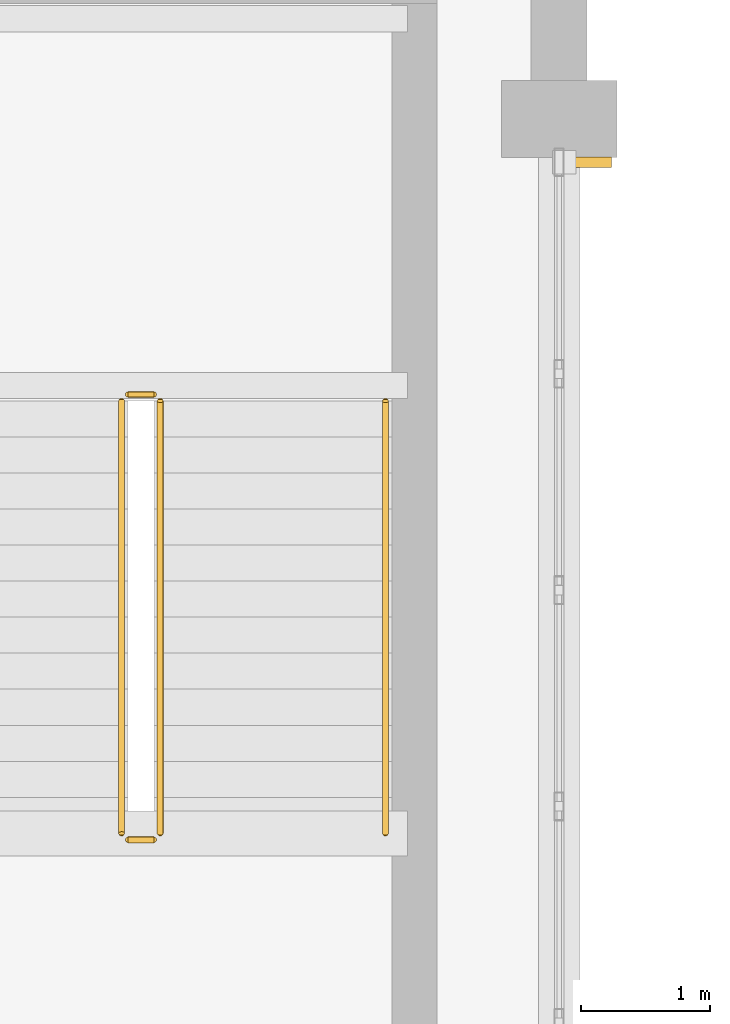
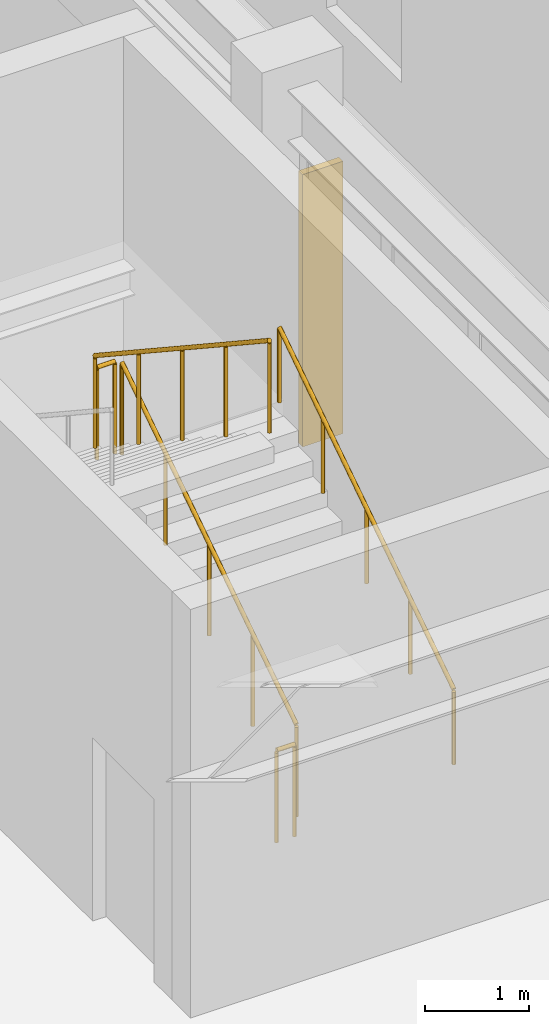
# One storey, part 87 of 96: 5 railings, 1 shading device.
"""IFC4 building model written with IfcOpenShell, lengths in metres."""

from ifc_helpers import new_model, si_unit, direction, frame, origin, origin_2d, place, context, subcontext, project, spatial, rectangle, circle, extrude, material, type_object, element, save


model = new_model("IFC4")

# Units and contexts
model_context = context("Model", 3, precision=1e-05, world=origin(), true_north=direction((0.0, 1.0)))
body_context = subcontext(model_context, "Body", "Model", "MODEL_VIEW")
ifc_project = project(units=[si_unit("LENGTHUNIT", "METRE"), si_unit("AREAUNIT", "SQUARE_METRE"), si_unit("VOLUMEUNIT", "CUBIC_METRE"), si_unit("PLANEANGLEUNIT", "RADIAN"), si_unit("MASSUNIT", "GRAM", prefix="KILO")], contexts=[model_context])

# Site, building, storey
site_placement = place(None, origin())
site = spatial("IfcSite", under=ifc_project, at=site_placement, CompositionType="ELEMENT")
building_placement = place(site_placement, origin())
building = spatial("IfcBuilding", under=site, at=building_placement, Name="Vaelkrest Opera House", CompositionType="ELEMENT")
storey_placement = place(building_placement, frame((0.0, 0.0, 5.39990234375)))
storey = spatial("IfcBuildingStorey", under=building, at=storey_placement, Name="L01", CompositionType="ELEMENT", Elevation=5.39990234375)

# Shading device
ifc_material = material(Name="Dark bronze anodized aluminium", Category="aluminium")
shading_device_type = type_object("IfcShadingDeviceType", Name="FIN01", PredefinedType="USERDEFINED", material=ifc_material)
shading_device_placement = place(storey_placement, frame((30.179931640625, -38.135498046875, 0.31201171875), z_axis=(0.0, 0.0, 1.0), x_axis=(1.0, 0.0, 0.0)))
element("IfcShadingDevice", 1, at=shading_device_placement, inside=storey, type_object=shading_device_type, Name="Bronze vertical facade fin 02", ObjectType="FIN", PredefinedType="USERDEFINED", context=body_context, shape_type="SweptSolid", body=[
    extrude(rectangle(XDim=0.449951171875, YDim=0.080078125, at=origin_2d()), origin(), (0.0, 0.0, 1.0), 3.199951171875),
])

# Railings
railing_type_1 = type_object("IfcRailingType", Name="GR02", PredefinedType="GUARDRAIL", material=ifc_material)
railing_1_placement = place(storey_placement, frame((26.89990234375, -43.35009765625, 0.184814453125)))
element("IfcRailing", 2, at=railing_1_placement, inside=storey, type_object=railing_type_1, Name="L01 ST04 stair guard 1", PredefinedType="GUARDRAIL", context=body_context, shape_type="SweptSolid", body=[
    extrude(circle(Radius=0.02392578125, at=origin_2d()), frame((0.0, 0.0, 1.076171875), z_axis=(0.0, 0.834876476806, 0.550437342915), x_axis=(-1.0, 0.0, 0.0)), (0.0, 0.0, 1.0), 4.024658203125),
    extrude(circle(Radius=0.02099609375, at=origin_2d()), origin(), (0.0, 0.0, 1.0), 1.052001953125),
    extrude(circle(Radius=0.02099609375, at=origin_2d()), frame((0.0, 0.840087890625, 0.5537109375)), (0.0, 0.0, 1.0), 1.052001953125),
    extrude(circle(Radius=0.02099609375, at=origin_2d()), frame((0.0, 1.68017578125, 1.107666015625)), (0.0, 0.0, 1.0), 1.052001953125),
    extrude(circle(Radius=0.02099609375, at=origin_2d()), frame((0.0, 2.52001953125, 1.66162109375)), (0.0, 0.0, 1.0), 1.052001953125),
    extrude(circle(Radius=0.02099609375, at=origin_2d()), frame((0.0, 3.360107421875, 2.21533203125)), (0.0, 0.0, 1.0), 1.052001953125),
])
railing_2_placement = place(storey_placement, frame((26.85009765625, -39.93994140625, 2.400146484375)))
element("IfcRailing", 3, at=railing_2_placement, inside=storey, type_object=railing_type_1, Name="L01 ST04 stair guard 2", PredefinedType="GUARDRAIL", context=body_context, shape_type="SweptSolid", body=[
    extrude(circle(Radius=0.02392578125, at=origin_2d()), frame((0.0, 0.0, 1.076171875), z_axis=(-1.0, 0.0, 0.0), x_axis=(0.0, -1.0, 0.0)), (0.0, 0.0, 1.0), 0.2001953125),
    extrude(circle(Radius=0.02099609375, at=origin_2d()), origin(), (0.0, 0.0, 1.0), 1.052001953125),
    extrude(circle(Radius=0.02099609375, at=origin_2d()), frame((-0.2001953125, 0.0, 0.0)), (0.0, 0.0, 1.0), 1.052001953125),
])
railing_3_placement = place(storey_placement, frame((26.60009765625, -39.989990234375, 2.584716796875)))
element("IfcRailing", 4, at=railing_3_placement, inside=storey, type_object=railing_type_1, Name="L01 ST04 stair guard 3", PredefinedType="GUARDRAIL", context=body_context, shape_type="SweptSolid", body=[
    extrude(circle(Radius=0.02392578125, at=origin_2d()), frame((0.0, 0.0, 1.076171875), z_axis=(0.0, -0.834876476806, 0.550437342915), x_axis=(1.0, 0.0, 0.0)), (0.0, 0.0, 1.0), 4.024658203125),
    extrude(circle(Radius=0.02099609375, at=origin_2d()), origin(), (0.0, 0.0, 1.0), 1.052001953125),
    extrude(circle(Radius=0.02099609375, at=origin_2d()), frame((0.0, -0.840087890625, 0.5537109375)), (0.0, 0.0, 1.0), 1.052001953125),
    extrude(circle(Radius=0.02099609375, at=origin_2d()), frame((0.0, -1.68017578125, 1.107666015625)), (0.0, 0.0, 1.0), 1.052001953125),
    extrude(circle(Radius=0.02099609375, at=origin_2d()), frame((0.0, -2.52001953125, 1.66162109375)), (0.0, 0.0, 1.0), 1.052001953125),
    extrude(circle(Radius=0.02099609375, at=origin_2d()), frame((0.0, -3.360107421875, 2.21533203125)), (0.0, 0.0, 1.0), 1.052001953125),
])
railing_4_placement = place(storey_placement, frame((26.85009765625, -43.39990234375, 0.0)))
element("IfcRailing", 5, at=railing_4_placement, inside=storey, type_object=railing_type_1, Name="L01 ST04 stair guard 4", PredefinedType="GUARDRAIL", context=body_context, shape_type="SweptSolid", body=[
    extrude(circle(Radius=0.02392578125, at=origin_2d()), frame((0.0, 0.0, 1.076171875), z_axis=(-1.0, 0.0, 0.0), x_axis=(0.0, -1.0, 0.0)), (0.0, 0.0, 1.0), 0.2001953125),
    extrude(circle(Radius=0.02099609375, at=origin_2d()), origin(), (0.0, 0.0, 1.0), 1.052001953125),
    extrude(circle(Radius=0.02099609375, at=origin_2d()), frame((-0.2001953125, 0.0, 0.0)), (0.0, 0.0, 1.0), 1.052001953125),
])
railing_type_2 = type_object("IfcRailingType", Name="HR02", PredefinedType="HANDRAIL", material=ifc_material)
railing_5_placement = place(storey_placement, frame((28.64990234375, -43.35009765625, 0.184814453125)))
element("IfcRailing", 6, at=railing_5_placement, inside=storey, type_object=railing_type_2, Name="L01 ST04 stair handrail 1", PredefinedType="HANDRAIL", context=body_context, shape_type="SweptSolid", body=[
    extrude(circle(Radius=0.02392578125, at=origin_2d()), frame((0.0, 0.0, 0.8759765625), z_axis=(0.0, 0.834876476806, 0.550437342915), x_axis=(-1.0, 0.0, 0.0)), (0.0, 0.0, 1.0), 4.024658203125),
    extrude(circle(Radius=0.02099609375, at=origin_2d()), origin(), (0.0, 0.0, 1.0), 0.851806640625),
    extrude(circle(Radius=0.02099609375, at=origin_2d()), frame((0.0, 0.840087890625, 0.5537109375)), (0.0, 0.0, 1.0), 0.851806640625),
    extrude(circle(Radius=0.02099609375, at=origin_2d()), frame((0.0, 1.68017578125, 1.107666015625)), (0.0, 0.0, 1.0), 0.851806640625),
    extrude(circle(Radius=0.02099609375, at=origin_2d()), frame((0.0, 2.52001953125, 1.66162109375)), (0.0, 0.0, 1.0), 0.851806640625),
    extrude(circle(Radius=0.02099609375, at=origin_2d()), frame((0.0, 3.360107421875, 2.21533203125)), (0.0, 0.0, 1.0), 0.851806640625),
])

save(model, "model.ifc")
